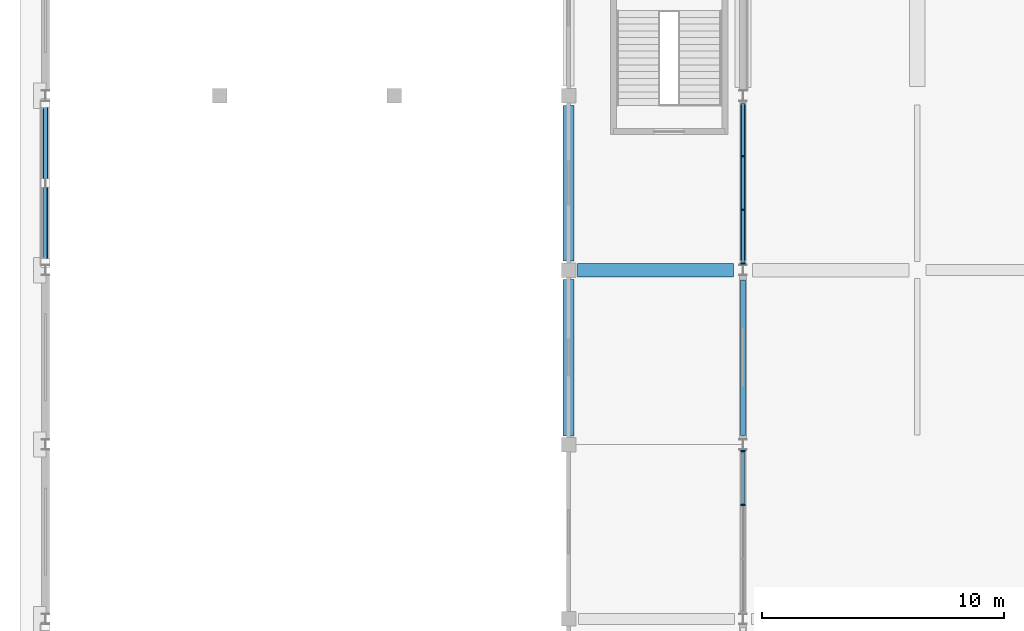
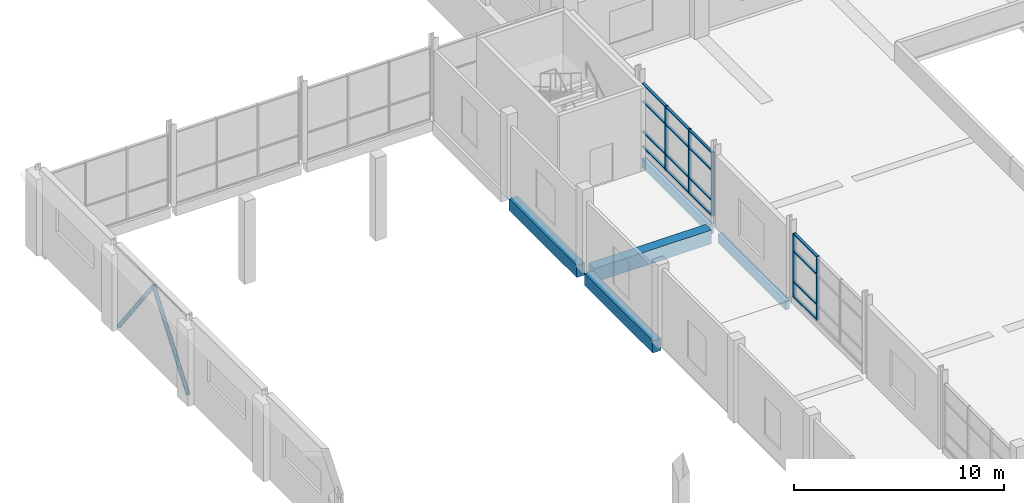
# One storey, part 25 of 82: 23 members, 5 beams, 2 elements without a shape of their own.
"""IFC4 building model written with IfcOpenShell, lengths in metres."""

from ifc_helpers import new_model, si_unit, direction, frame, origin, origin_2d, place, context, subcontext, project, spatial, rectangle, hollow_circle, extrude, material, material_profile, profile_set, type_object, element, aggregate, save


model = new_model("IFC4")

# Units and contexts
model_context = context("Model", 3, precision=1e-05, world=origin(), true_north=direction((0.0, 1.0)))
body_context = subcontext(model_context, "Body", "Model", "MODEL_VIEW")
ifc_project = project(units=[si_unit("LENGTHUNIT", "METRE"), si_unit("AREAUNIT", "SQUARE_METRE"), si_unit("VOLUMEUNIT", "CUBIC_METRE"), si_unit("PLANEANGLEUNIT", "RADIAN"), si_unit("MASSUNIT", "GRAM", prefix="KILO")], contexts=[model_context])

# Site, building, storey
site_placement = place(None, origin())
site = spatial("IfcSite", under=ifc_project, at=site_placement, CompositionType="ELEMENT")
building_placement = place(site_placement, origin())
building = spatial("IfcBuilding", under=site, at=building_placement, Name="Sardonyx Promenade Sports Hall", CompositionType="ELEMENT")
storey_placement = place(building_placement, frame((0.0, 0.0, 11.199951171875)))
storey = spatial("IfcBuildingStorey", under=building, at=storey_placement, Name="L02", CompositionType="ELEMENT", Elevation=11.199951171875)

# Beams
ifc_material_1 = material(Name="Glulam GL28h", Category="wood")
ifc_material_profile_1 = material_profile(ifc_material_1, rectangle(XDim=0.219970703125, YDim=0.5400390625, at=origin_2d()))
ifc_profile_set_1 = profile_set([ifc_material_profile_1], Name="Glulam GL28h")
beam_type_1 = type_object("IfcBeamType", Name="Bm_Gallery_GL540", PredefinedType="BEAM", material=ifc_profile_set_1)
beam_1_placement = place(storey_placement, frame((28.800048828125, 50.77490234375, -0.510009765625), z_axis=(0.0, 1.0, 0.0), x_axis=(-1.0, 0.0, 0.0)))
element("IfcBeam", 1, at=beam_1_placement, inside=storey, type_object=beam_type_1, Name="Beam GLB2 L02 #586", PredefinedType="BEAM", context=body_context, shape_type="SweptSolid", body=[
    extrude(rectangle(XDim=0.219970703125, YDim=0.5400390625, at=origin_2d()), origin(), (0.0, 0.0, 1.0), 6.425048828125),
])
beam_2_placement = place(storey_placement, frame((28.800048828125, 58.0, -0.510009765625), z_axis=(0.0, 1.0, 0.0), x_axis=(-1.0, 0.0, 0.0)))
element("IfcBeam", 2, at=beam_2_placement, inside=storey, type_object=beam_type_1, Name="Beam GLB2 L02 #587", PredefinedType="BEAM", context=body_context, shape_type="SweptSolid", body=[
    extrude(rectangle(XDim=0.219970703125, YDim=0.5400390625, at=origin_2d()), origin(), (0.0, 0.0, 1.0), 6.449951171875),
])
ifc_material_2 = material(Name="Concrete C40/50", Category="concrete")
ifc_material_profile_2 = material_profile(ifc_material_2, rectangle(XDim=0.550048828125, YDim=0.800048828125, at=origin_2d()))
ifc_profile_set_2 = profile_set([ifc_material_profile_2], Name="Concrete C40/50")
beam_type_2 = type_object("IfcBeamType", Name="Bm_Girder_RC800", PredefinedType="BEAM", material=ifc_profile_set_2)
beam_3_placement = place(storey_placement, frame((21.97509765625, 57.60009765625, -0.39990234375), z_axis=(1.0, 0.0, 0.0), x_axis=(0.0, 1.0, 0.0)))
element("IfcBeam", 3, at=beam_3_placement, inside=storey, type_object=beam_type_2, Name="Beam BG04 L02 #536", PredefinedType="BEAM", context=body_context, shape_type="SweptSolid", body=[
    extrude(rectangle(XDim=0.550048828125, YDim=0.800048828125, at=origin_2d()), origin(), (0.0, 0.0, 1.0), 6.4248046875),
])
ifc_material_3 = material(Name="Concrete C40/50", Category="concrete")
ifc_material_profile_3 = material_profile(ifc_material_3, rectangle(XDim=0.449951171875, YDim=0.699951171875, at=origin_2d()))
ifc_profile_set_3 = profile_set([ifc_material_profile_3], Name="Concrete C40/50")
beam_type_3 = type_object("IfcBeamType", Name="Bm_Primary_RC700", PredefinedType="BEAM", material=ifc_profile_set_3)
beam_4_placement = place(storey_placement, frame((21.60009765625, 50.75, -0.349853515625), z_axis=(0.0, 1.0, 0.0), x_axis=(-1.0, 0.0, 0.0)))
element("IfcBeam", 4, at=beam_4_placement, inside=storey, type_object=beam_type_3, Name="Beam BG01 L02 #576", PredefinedType="BEAM", context=body_context, shape_type="SweptSolid", body=[
    extrude(rectangle(XDim=0.449951171875, YDim=0.699951171875, at=origin_2d()), origin(), (0.0, 0.0, 1.0), 6.47509765625),
])
beam_5_placement = place(storey_placement, frame((21.60009765625, 57.97509765625, -0.349853515625), z_axis=(0.0, 1.0, 0.0), x_axis=(-1.0, 0.0, 0.0)))
element("IfcBeam", 5, at=beam_5_placement, inside=storey, type_object=beam_type_3, Name="Beam BG01 L02 #577", PredefinedType="BEAM", context=body_context, shape_type="SweptSolid", body=[
    extrude(rectangle(XDim=0.449951171875, YDim=0.699951171875, at=origin_2d()), origin(), (0.0, 0.0, 1.0), 6.4248046875),
])

# Curtain wall, members
ifc_material_4 = material(Name="Aluminium 6063-T6", Category="aluminium")
curtain_wall_type = type_object("IfcCurtainWallType", Name="CW_South_L02_640", PredefinedType="USERDEFINED", material=ifc_material_4)
curtain_wall_1_placement = place(storey_placement, origin())
curtain_wall_1 = element("IfcCurtainWall", 6, at=curtain_wall_1_placement, inside=storey, type_object=curtain_wall_type, Name="Curtain wall CW01 cw:L02:152", ObjectType="CURTAIN WALL", PredefinedType="USERDEFINED")
ifc_material_5 = material(Name="Aluminium 6063-T6", Category="aluminium")
ifc_material_profile_4 = material_profile(ifc_material_5, rectangle(XDim=0.06494140625, YDim=0.175048828125, at=origin_2d()))
ifc_profile_set_4 = profile_set([ifc_material_profile_4], Name="Aluminium 6063-T6")
member_type_1 = type_object("IfcMemberType", Name="CW_Mull_175", PredefinedType="MULLION", material=ifc_profile_set_4)
member_1_placement = place(storey_placement, frame((28.800048828125, 62.30908203125, 0.35009765625), z_axis=(0.0, 0.0, 1.0), x_axis=(0.0, -1.0, 0.0)))
member_1 = element("IfcMember", 7, at=member_1_placement, type_object=member_type_1, Name="Mullion CM02 cw:L02:152 #2", PredefinedType="MULLION", context=body_context, shape_type="SweptSolid", body=[
    extrude(rectangle(XDim=0.06494140625, YDim=0.175048828125, at=origin_2d()), origin(), (0.0, 0.0, 1.0), 3.699951171875),
])
member_2_placement = place(storey_placement, frame((28.800048828125, 60.0908203125, 0.35009765625), z_axis=(0.0, 0.0, 1.0), x_axis=(0.0, -1.0, 0.0)))
member_2 = element("IfcMember", 8, at=member_2_placement, type_object=member_type_1, Name="Mullion CM02 cw:L02:152 #3", PredefinedType="MULLION", context=body_context, shape_type="SweptSolid", body=[
    extrude(rectangle(XDim=0.06494140625, YDim=0.175048828125, at=origin_2d()), origin(), (0.0, 0.0, 1.0), 3.699951171875),
])
member_3_placement = place(storey_placement, frame((28.800048828125, 57.87255859375, 0.35009765625), z_axis=(0.0, 0.0, 1.0), x_axis=(0.0, -1.0, 0.0)))
member_3 = element("IfcMember", 9, at=member_3_placement, type_object=member_type_1, Name="Mullion CM02 cw:L02:152 #4", PredefinedType="MULLION", context=body_context, shape_type="SweptSolid", body=[
    extrude(rectangle(XDim=0.06494140625, YDim=0.175048828125, at=origin_2d()), origin(), (0.0, 0.0, 1.0), 3.699951171875),
])

curtain_wall_2_placement = place(storey_placement, origin())
curtain_wall_2 = element("IfcCurtainWall", 10, at=curtain_wall_2_placement, inside=storey, type_object=curtain_wall_type, Name="Curtain wall CW01 cw:L02:153", ObjectType="CURTAIN WALL", PredefinedType="USERDEFINED")
member_4_placement = place(storey_placement, frame((28.800048828125, 50.12744140625, 0.35009765625), z_axis=(0.0, 0.0, 1.0), x_axis=(0.0, -1.0, 0.0)))
member_4 = element("IfcMember", 11, at=member_4_placement, type_object=member_type_1, Name="Mullion CM02 cw:L02:153 #1", PredefinedType="MULLION", context=body_context, shape_type="SweptSolid", body=[
    extrude(rectangle(XDim=0.06494140625, YDim=0.175048828125, at=origin_2d()), origin(), (0.0, 0.0, 1.0), 3.699951171875),
])
member_5_placement = place(storey_placement, frame((28.800048828125, 47.9091796875, 0.35009765625), z_axis=(0.0, 0.0, 1.0), x_axis=(0.0, -1.0, 0.0)))
member_5 = element("IfcMember", 12, at=member_5_placement, type_object=member_type_1, Name="Mullion CM02 cw:L02:153 #2", PredefinedType="MULLION", context=body_context, shape_type="SweptSolid", body=[
    extrude(rectangle(XDim=0.06494140625, YDim=0.175048828125, at=origin_2d()), origin(), (0.0, 0.0, 1.0), 3.699951171875),
])

# Member
ifc_material_6 = material(Name="Aluminium 6063-T6", Category="aluminium")
ifc_material_profile_5 = material_profile(ifc_material_6, rectangle(XDim=0.06494140625, YDim=0.139892578125, at=origin_2d()))
ifc_profile_set_5 = profile_set([ifc_material_profile_5], Name="Aluminium 6063-T6")
member_type_2 = type_object("IfcMemberType", Name="CW_Tran_140", PredefinedType="USERDEFINED", material=ifc_profile_set_5)
member_6_placement = place(storey_placement, frame((28.800048828125, 64.4951171875, 0.382568359375), z_axis=(0.0, -1.0, 0.0), x_axis=(0.0, 0.0, 1.0)))
member_6 = element("IfcMember", 13, at=member_6_placement, type_object=member_type_2, Name="Transom CT02 cw:L02:152 #1", ObjectType="TRANSOM", PredefinedType="USERDEFINED", context=body_context, shape_type="SweptSolid", body=[
    extrude(rectangle(XDim=0.06494140625, YDim=0.139892578125, at=origin_2d()), origin(), (0.0, 0.0, 1.0), 2.153564453125),
])

member_7_placement = place(storey_placement, frame((28.800048828125, 64.4951171875, 1.25), z_axis=(0.0, -1.0, 0.0), x_axis=(0.0, 0.0, 1.0)))
member_7 = element("IfcMember", 14, at=member_7_placement, type_object=member_type_2, Name="Transom CT02 cw:L02:152 #2", ObjectType="TRANSOM", PredefinedType="USERDEFINED", context=body_context, shape_type="SweptSolid", body=[
    extrude(rectangle(XDim=0.06494140625, YDim=0.139892578125, at=origin_2d()), origin(), (0.0, 0.0, 1.0), 2.153564453125),
])

member_8_placement = place(storey_placement, frame((28.800048828125, 64.4951171875, 3.0), z_axis=(0.0, -1.0, 0.0), x_axis=(0.0, 0.0, 1.0)))
member_8 = element("IfcMember", 15, at=member_8_placement, type_object=member_type_2, Name="Transom CT02 cw:L02:152 #3", ObjectType="TRANSOM", PredefinedType="USERDEFINED", context=body_context, shape_type="SweptSolid", body=[
    extrude(rectangle(XDim=0.06494140625, YDim=0.139892578125, at=origin_2d()), origin(), (0.0, 0.0, 1.0), 2.153564453125),
])

member_9_placement = place(storey_placement, frame((28.800048828125, 64.4951171875, 4.017578125), z_axis=(0.0, -1.0, 0.0), x_axis=(0.0, 0.0, 1.0)))
member_9 = element("IfcMember", 16, at=member_9_placement, type_object=member_type_2, Name="Transom CT02 cw:L02:152 #4", ObjectType="TRANSOM", PredefinedType="USERDEFINED", context=body_context, shape_type="SweptSolid", body=[
    extrude(rectangle(XDim=0.06494140625, YDim=0.139892578125, at=origin_2d()), origin(), (0.0, 0.0, 1.0), 2.153564453125),
])

member_10_placement = place(storey_placement, frame((28.800048828125, 62.276611328125, 0.382568359375), z_axis=(0.0, -1.0, 0.0), x_axis=(0.0, 0.0, 1.0)))
member_10 = element("IfcMember", 17, at=member_10_placement, type_object=member_type_2, Name="Transom CT02 cw:L02:152 #5", ObjectType="TRANSOM", PredefinedType="USERDEFINED", context=body_context, shape_type="SweptSolid", body=[
    extrude(rectangle(XDim=0.06494140625, YDim=0.139892578125, at=origin_2d()), origin(), (0.0, 0.0, 1.0), 2.1533203125),
])

member_11_placement = place(storey_placement, frame((28.800048828125, 62.276611328125, 1.25), z_axis=(0.0, -1.0, 0.0), x_axis=(0.0, 0.0, 1.0)))
member_11 = element("IfcMember", 18, at=member_11_placement, type_object=member_type_2, Name="Transom CT02 cw:L02:152 #6", ObjectType="TRANSOM", PredefinedType="USERDEFINED", context=body_context, shape_type="SweptSolid", body=[
    extrude(rectangle(XDim=0.06494140625, YDim=0.139892578125, at=origin_2d()), origin(), (0.0, 0.0, 1.0), 2.1533203125),
])

member_12_placement = place(storey_placement, frame((28.800048828125, 62.276611328125, 3.0), z_axis=(0.0, -1.0, 0.0), x_axis=(0.0, 0.0, 1.0)))
member_12 = element("IfcMember", 19, at=member_12_placement, type_object=member_type_2, Name="Transom CT02 cw:L02:152 #7", ObjectType="TRANSOM", PredefinedType="USERDEFINED", context=body_context, shape_type="SweptSolid", body=[
    extrude(rectangle(XDim=0.06494140625, YDim=0.139892578125, at=origin_2d()), origin(), (0.0, 0.0, 1.0), 2.1533203125),
])

member_13_placement = place(storey_placement, frame((28.800048828125, 62.276611328125, 4.017578125), z_axis=(0.0, -1.0, 0.0), x_axis=(0.0, 0.0, 1.0)))
member_13 = element("IfcMember", 20, at=member_13_placement, type_object=member_type_2, Name="Transom CT02 cw:L02:152 #8", ObjectType="TRANSOM", PredefinedType="USERDEFINED", context=body_context, shape_type="SweptSolid", body=[
    extrude(rectangle(XDim=0.06494140625, YDim=0.139892578125, at=origin_2d()), origin(), (0.0, 0.0, 1.0), 2.1533203125),
])

member_14_placement = place(storey_placement, frame((28.800048828125, 60.058349609375, 0.382568359375), z_axis=(0.0, -1.0, 0.0), x_axis=(0.0, 0.0, 1.0)))
member_14 = element("IfcMember", 21, at=member_14_placement, type_object=member_type_2, Name="Transom CT02 cw:L02:152 #9", ObjectType="TRANSOM", PredefinedType="USERDEFINED", context=body_context, shape_type="SweptSolid", body=[
    extrude(rectangle(XDim=0.06494140625, YDim=0.139892578125, at=origin_2d()), origin(), (0.0, 0.0, 1.0), 2.1533203125),
])

member_15_placement = place(storey_placement, frame((28.800048828125, 60.058349609375, 1.25), z_axis=(0.0, -1.0, 0.0), x_axis=(0.0, 0.0, 1.0)))
member_15 = element("IfcMember", 22, at=member_15_placement, type_object=member_type_2, Name="Transom CT02 cw:L02:152 #10", ObjectType="TRANSOM", PredefinedType="USERDEFINED", context=body_context, shape_type="SweptSolid", body=[
    extrude(rectangle(XDim=0.06494140625, YDim=0.139892578125, at=origin_2d()), origin(), (0.0, 0.0, 1.0), 2.1533203125),
])

member_16_placement = place(storey_placement, frame((28.800048828125, 60.058349609375, 3.0), z_axis=(0.0, -1.0, 0.0), x_axis=(0.0, 0.0, 1.0)))
member_16 = element("IfcMember", 23, at=member_16_placement, type_object=member_type_2, Name="Transom CT02 cw:L02:152 #11", ObjectType="TRANSOM", PredefinedType="USERDEFINED", context=body_context, shape_type="SweptSolid", body=[
    extrude(rectangle(XDim=0.06494140625, YDim=0.139892578125, at=origin_2d()), origin(), (0.0, 0.0, 1.0), 2.1533203125),
])

member_17_placement = place(storey_placement, frame((28.800048828125, 60.058349609375, 4.017578125), z_axis=(0.0, -1.0, 0.0), x_axis=(0.0, 0.0, 1.0)))
member_17 = element("IfcMember", 24, at=member_17_placement, type_object=member_type_2, Name="Transom CT02 cw:L02:152 #12", ObjectType="TRANSOM", PredefinedType="USERDEFINED", context=body_context, shape_type="SweptSolid", body=[
    extrude(rectangle(XDim=0.06494140625, YDim=0.139892578125, at=origin_2d()), origin(), (0.0, 0.0, 1.0), 2.1533203125),
])

aggregate(curtain_wall_1, [member_1, member_2, member_3, member_6, member_7, member_8, member_9, member_10, member_11, member_12, member_13, member_14, member_15, member_16, member_17])

member_18_placement = place(storey_placement, frame((28.800048828125, 50.094970703125, 0.382568359375), z_axis=(0.0, -1.0, 0.0), x_axis=(0.0, 0.0, 1.0)))
member_18 = element("IfcMember", 25, at=member_18_placement, type_object=member_type_2, Name="Transom CT02 cw:L02:153 #1", ObjectType="TRANSOM", PredefinedType="USERDEFINED", context=body_context, shape_type="SweptSolid", body=[
    extrude(rectangle(XDim=0.06494140625, YDim=0.139892578125, at=origin_2d()), origin(), (0.0, 0.0, 1.0), 2.1533203125),
])

member_19_placement = place(storey_placement, frame((28.800048828125, 50.094970703125, 1.25), z_axis=(0.0, -1.0, 0.0), x_axis=(0.0, 0.0, 1.0)))
member_19 = element("IfcMember", 26, at=member_19_placement, type_object=member_type_2, Name="Transom CT02 cw:L02:153 #2", ObjectType="TRANSOM", PredefinedType="USERDEFINED", context=body_context, shape_type="SweptSolid", body=[
    extrude(rectangle(XDim=0.06494140625, YDim=0.139892578125, at=origin_2d()), origin(), (0.0, 0.0, 1.0), 2.1533203125),
])

member_20_placement = place(storey_placement, frame((28.800048828125, 50.094970703125, 3.0), z_axis=(0.0, -1.0, 0.0), x_axis=(0.0, 0.0, 1.0)))
member_20 = element("IfcMember", 27, at=member_20_placement, type_object=member_type_2, Name="Transom CT02 cw:L02:153 #3", ObjectType="TRANSOM", PredefinedType="USERDEFINED", context=body_context, shape_type="SweptSolid", body=[
    extrude(rectangle(XDim=0.06494140625, YDim=0.139892578125, at=origin_2d()), origin(), (0.0, 0.0, 1.0), 2.1533203125),
])

member_21_placement = place(storey_placement, frame((28.800048828125, 50.094970703125, 4.017578125), z_axis=(0.0, -1.0, 0.0), x_axis=(0.0, 0.0, 1.0)))
member_21 = element("IfcMember", 28, at=member_21_placement, type_object=member_type_2, Name="Transom CT02 cw:L02:153 #4", ObjectType="TRANSOM", PredefinedType="USERDEFINED", context=body_context, shape_type="SweptSolid", body=[
    extrude(rectangle(XDim=0.06494140625, YDim=0.139892578125, at=origin_2d()), origin(), (0.0, 0.0, 1.0), 2.1533203125),
])

aggregate(curtain_wall_2, [member_4, member_5, member_18, member_19, member_20, member_21])

# Members
ifc_material_7 = material(Name="Steel S355JR", Category="steel")
ifc_material_profile_6 = material_profile(ifc_material_7, hollow_circle(Radius=0.109619140625, WallThickness=0.010009765625, at=origin_2d()))
ifc_profile_set_6 = profile_set([ifc_material_profile_6], Name="Steel S355JR")
member_type_3 = type_object("IfcMemberType", Name="Mbr_Brace_CHS219_Ext", PredefinedType="BRACE", material=ifc_profile_set_6)
for number, where, z_axis, x_axis, name in (
    (29, (0.0, 57.89990234375, 0.02001953125), (0.0, 0.606152648807, 0.795348330195), (-1.0, 0.0, 0.0), "Chevron brace BR02 BF2 L02 leg 1"),
    (30, (0.0, 64.5, 0.02001953125), (0.0, -0.606152648807, 0.795348330195), (1.0, 0.0, 0.0), "Chevron brace BR02 BF2 L02 leg 2"),
):
    element("IfcMember", number, at=place(storey_placement, frame(where, z_axis=z_axis, x_axis=x_axis)), inside=storey, type_object=member_type_3, Name=name, PredefinedType="BRACE", context=body_context, shape_type="SweptSolid", body=[
        extrude(hollow_circle(Radius=0.109619140625, WallThickness=0.010009765625, at=origin_2d()), origin(), (0.0, 0.0, 1.0), 5.4443359375),
    ])

save(model, "model.ifc")
